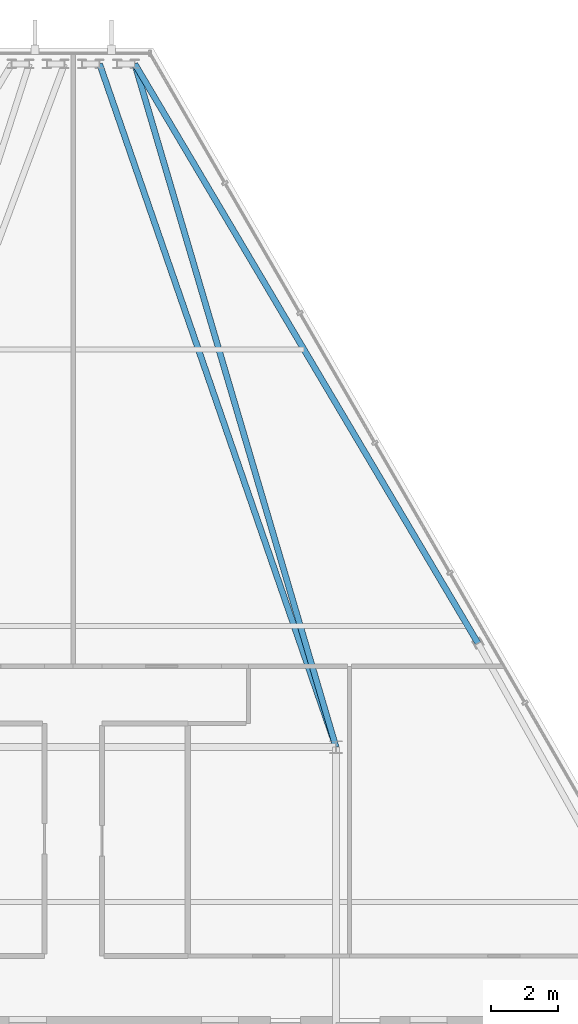
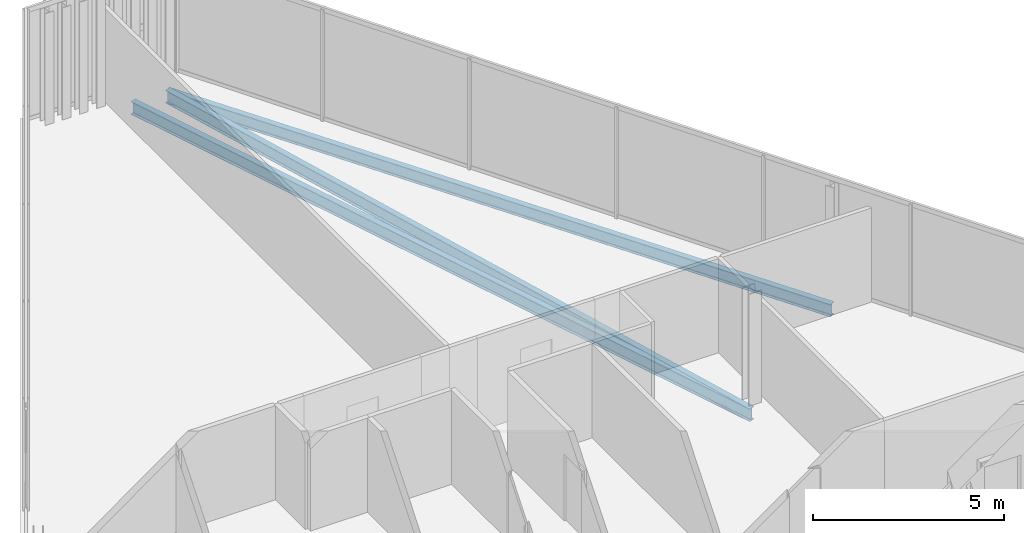
# One storey, part 18 of 32: 3 beams.
"""IFC4 building model written with IfcOpenShell, lengths in metres."""

from ifc_helpers import new_model, si_unit, direction, frame, origin, origin_2d, place, context, subcontext, project, spatial, i_section, extrude, material, material_profile, profile_set, type_object, element, save


model = new_model("IFC4")

# Units and contexts
model_context = context("Model", 3, precision=1e-05, world=origin(), true_north=direction((0.0, 1.0)))
body_context = subcontext(model_context, "Body", "Model", "MODEL_VIEW")
ifc_project = project(units=[si_unit("LENGTHUNIT", "METRE"), si_unit("AREAUNIT", "SQUARE_METRE"), si_unit("VOLUMEUNIT", "CUBIC_METRE"), si_unit("PLANEANGLEUNIT", "RADIAN"), si_unit("MASSUNIT", "GRAM", prefix="KILO")], contexts=[model_context])

# Site, building, storey
site_placement = place(None, origin())
site = spatial("IfcSite", under=ifc_project, at=site_placement, CompositionType="ELEMENT")
building_placement = place(site_placement, origin())
building = spatial("IfcBuilding", under=site, at=building_placement, Name="Ndaravel Arena Tower", CompositionType="ELEMENT")
storey_placement = place(building_placement, frame((0.0, 0.0, 287.10009765625)))
storey = spatial("IfcBuildingStorey", under=building, at=storey_placement, Name="L70", CompositionType="ELEMENT", Elevation=287.10009765625)

# Beams
ifc_material_1 = material(Name="Steel S355", Category="steel")
ifc_material_profile_1 = material_profile(ifc_material_1, i_section(OverallWidth=0.1787109375, OverallDepth=0.409423828125, WebThickness=0.0087890625, FlangeThickness=0.014404296875, FilletRadius=0.01025390625, at=origin_2d()), Name="UB 406x178x67")
ifc_profile_set_1 = profile_set([ifc_material_profile_1], Name="Steel S355")
beam_type_1 = type_object("IfcBeamType", Name="BM-GIRD-UB406", PredefinedType="BEAM", material=ifc_profile_set_1)
beam_1_placement = place(storey_placement, frame((43.82666015625, 43.477783203125, -0.4248046875), z_axis=(0.282572099201, -0.959246062673, 0.0), x_axis=(0.959246062673, 0.282572099201, 0.0)))
element("IfcBeam", 1, at=beam_1_placement, inside=storey, type_object=beam_type_1, Name="L70 Radial Floor Girder FG-11", PredefinedType="BEAM", context=body_context, shape_type="SweptSolid", body=[
    extrude(i_section(OverallWidth=0.1787109375, OverallDepth=0.409423828125, WebThickness=0.0087890625, FlangeThickness=0.014404296875, FilletRadius=0.01025390625, at=origin_2d()), origin(), (0.0, 0.0, 1.0), 21.139404296875),
])
beam_2_placement = place(storey_placement, frame((42.782958984375, 43.477783203125, -0.4248046875), z_axis=(0.327020682305, -0.945017181508, 0.0), x_axis=(0.945017181508, 0.327020682305, 0.0)))
element("IfcBeam", 2, at=beam_2_placement, inside=storey, type_object=beam_type_1, Name="L70 Radial Floor Girder FG-13", PredefinedType="BEAM", context=body_context, shape_type="SweptSolid", body=[
    extrude(i_section(OverallWidth=0.1787109375, OverallDepth=0.409423828125, WebThickness=0.0087890625, FlangeThickness=0.014404296875, FilletRadius=0.01025390625, at=origin_2d()), origin(), (0.0, 0.0, 1.0), 21.45751953125),
])
ifc_material_2 = material(Name="Steel S355", Category="steel")
ifc_material_profile_2 = material_profile(ifc_material_2, i_section(OverallWidth=0.179931640625, OverallDepth=0.39990234375, WebThickness=0.008544921875, FlangeThickness=0.013427734375, FilletRadius=0.02099609375, at=origin_2d()), Name="IPE 400")
ifc_profile_set_2 = profile_set([ifc_material_profile_2], Name="Steel S355")
beam_type_2 = type_object("IfcBeamType", Name="BM-SPAN-IPE400", PredefinedType="SPANDREL", material=ifc_profile_set_2)
beam_3_placement = place(storey_placement, frame((54.0126953125, 26.286865234375, -0.420166015625), z_axis=(-0.509758851442, 0.860317332952, 0.0), x_axis=(-0.860317332952, -0.509758851442, 0.0)))
element("IfcBeam", 3, at=beam_3_placement, inside=storey, type_object=beam_type_2, Name="L70 Perimeter Spandrel Beam SP-10", PredefinedType="SPANDREL", context=body_context, shape_type="SweptSolid", body=[
    extrude(i_section(OverallWidth=0.179931640625, OverallDepth=0.39990234375, WebThickness=0.008544921875, FlangeThickness=0.013427734375, FilletRadius=0.02099609375, at=origin_2d()), origin(), (0.0, 0.0, 1.0), 19.982177734375),
])

save(model, "model.ifc")
